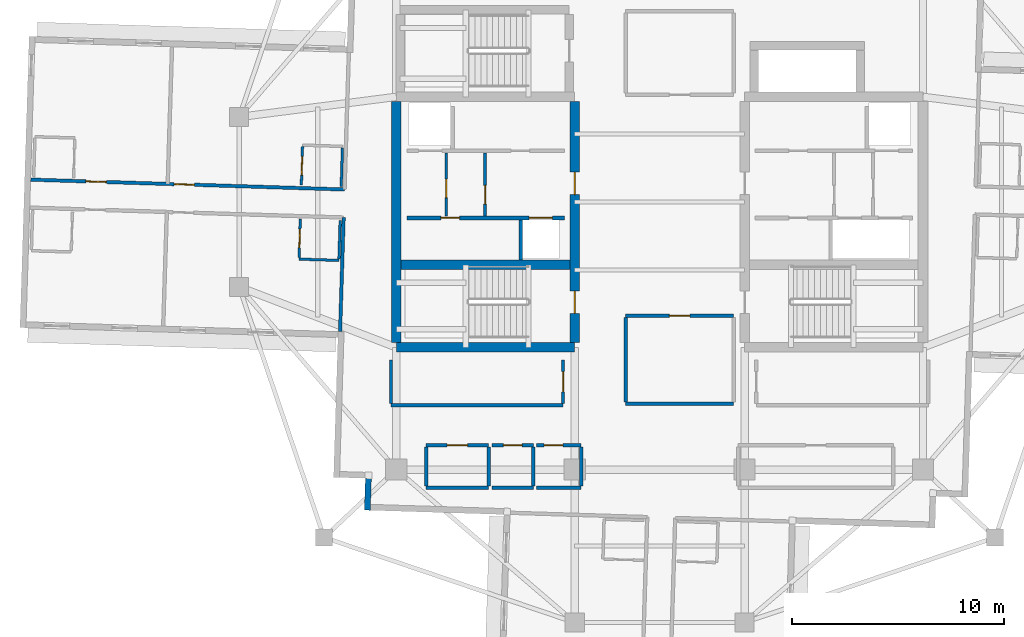
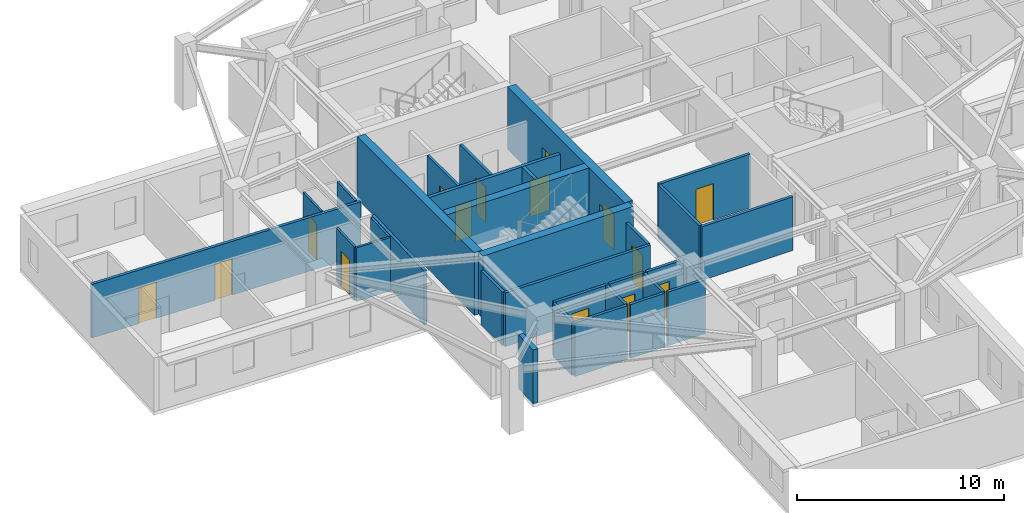
# One storey, part 4 of 12: 32 walls, 15 doors, 15 openings.
"""IFC4 building model written with IfcOpenShell, lengths in metres."""

from ifc_helpers import new_model, si_unit, direction, frame, frame_2d, origin, place, context, subcontext, project, spatial, rectangle, extrude, material, layer, layer_set, type_object, element, fill, save


model = new_model("IFC4")

# Units and contexts
model_context = context("Model", 3, precision=1e-05, world=origin(), true_north=direction((0.0, 1.0)))
body_context = subcontext(model_context, "Body", "Model", "MODEL_VIEW")
ifc_project = project(units=[si_unit("LENGTHUNIT", "METRE"), si_unit("AREAUNIT", "SQUARE_METRE"), si_unit("VOLUMEUNIT", "CUBIC_METRE"), si_unit("PLANEANGLEUNIT", "RADIAN"), si_unit("MASSUNIT", "GRAM", prefix="KILO")], contexts=[model_context])

# Site, building, storey
site_placement = place(None, origin())
site = spatial("IfcSite", under=ifc_project, at=site_placement, CompositionType="ELEMENT")
building_placement = place(site_placement, origin())
building = spatial("IfcBuilding", under=site, at=building_placement, Name="Qingluan Cross Belvedere", CompositionType="ELEMENT")
storey_placement = place(building_placement, frame((0.0, 0.0, 232.5)))
storey = spatial("IfcBuildingStorey", under=building, at=storey_placement, Name="L58", CompositionType="ELEMENT", Elevation=232.5)

# Walls
ifc_material_1 = material(Name="Concrete C50", Category="concrete")
ifc_layer_1 = layer(ifc_material_1, 0.449951171875, Name="CoreShearWall_450")
ifc_layer_set_1 = layer_set([ifc_layer_1], Name="Concrete C50")
wall_type_1 = type_object("IfcWallType", Name="CoreShearWall_450", PredefinedType="SHEAR", material=ifc_layer_set_1)
wall_1_placement = place(storey_placement, frame((-12.39990234375, -6.85009765625, 0.0), z_axis=(0.0, 0.0, 1.0), x_axis=(1.0, 0.0, 0.0)))
element("IfcWall", 1, at=wall_1_placement, inside=storey, type_object=wall_type_1, Name="Split core W shear wall L58-S", PredefinedType="SHEAR", context=body_context, shape_type="SweptSolid", body=[
    extrude(rectangle(XDim=8.39990234375, YDim=0.449951171875, at=frame_2d((4.199951171875, 0.0))), origin(), (0.0, 0.0, 1.0), 3.699951171875),
])
wall_2_placement = place(storey_placement, frame((-12.39990234375, -6.6201171875, 0.0), z_axis=(0.0, 0.0, 1.0), x_axis=(0.0, 1.0, 0.0)))
element("IfcWall", 2, at=wall_2_placement, inside=storey, type_object=wall_type_1, Name="Split core W shear wall L58-W", PredefinedType="SHEAR", context=body_context, shape_type="SweptSolid", body=[
    extrude(rectangle(XDim=11.340087890625, YDim=0.449951171875, at=frame_2d((5.669921875, 0.0))), origin(), (0.0, 0.0, 1.0), 3.699951171875),
])

# Wall, openings, doors
wall_3_placement = place(storey_placement, frame((-4.0, -6.6201171875, 0.0), z_axis=(0.0, 0.0, 1.0), x_axis=(0.0, 1.0, 0.0)))
wall_3 = element("IfcWall", 3, at=wall_3_placement, inside=storey, type_object=wall_type_1, Name="Split core W shear wall L58-E", PredefinedType="SHEAR", context=body_context, shape_type="SweptSolid", body=[
    extrude(rectangle(XDim=11.340087890625, YDim=0.449951171875, at=frame_2d((5.669921875, 0.0))), origin(), (0.0, 0.0, 1.0), 3.699951171875),
])
opening_1_placement = place(wall_3_placement, frame((1.3701171875, 0.0, 0.0)))
opening_1 = element("IfcOpeningElement", 4, at=opening_1_placement, cuts=wall_3, Name="Opening FD-B11", PredefinedType="OPENING", context=body_context, shape_type="SweptSolid", body=[
    extrude(rectangle(XDim=1.050048828125, YDim=2.14990234375, at=frame_2d((0.52490234375, 1.074951171875))), frame((0.0, 0.23486328125, 0.0), z_axis=(0.0, -1.0, 0.0), x_axis=(1.0, 0.0, 0.0)), (0.0, 0.0, 1.0), 0.469970703125),
])
opening_2_placement = place(wall_3_placement, frame((6.969970703125, 0.0, 0.0)))
opening_2 = element("IfcOpeningElement", 5, at=opening_2_placement, cuts=wall_3, Name="Opening FD-B11", PredefinedType="OPENING", context=body_context, shape_type="SweptSolid", body=[
    extrude(rectangle(XDim=1.050048828125, YDim=2.14990234375, at=frame_2d((0.52490234375, 1.074951171875))), frame((0.0, 0.23486328125, 0.0), z_axis=(0.0, -1.0, 0.0), x_axis=(1.0, 0.0, 0.0)), (0.0, 0.0, 1.0), 0.469970703125),
])
ifc_material_2 = material(Name="Steel Class B smoke-seal fire door", Category="steel")
door_type_1 = type_object("IfcDoorType", Name="StairLobbyFireDoor_FDB", OperationType="NOTDEFINED", PredefinedType="DOOR", material=ifc_material_2)
door_1_placement = place(opening_1_placement, origin())
door_1 = element("IfcDoor", 6, at=door_1_placement, inside=storey, type_object=door_type_1, Name="Smoke-proof stair ST1 fire door L58", OperationType="SINGLE_SWING_RIGHT", OverallHeight=2.14990234375, OverallWidth=1.050048828125, PredefinedType="DOOR", context=body_context, shape_type="SweptSolid", body=[
    extrude(rectangle(XDim=1.050048828125, YDim=2.14990234375, at=frame_2d((0.52490234375, 1.074951171875))), frame((0.0, 0.02490234375, 0.0), z_axis=(0.0, -1.0, 0.0), x_axis=(1.0, 0.0, 0.0)), (0.0, 0.0, 1.0), 0.050048828125),
])
fill(opening_1, door_1)
door_2_placement = place(opening_2_placement, origin())
door_2 = element("IfcDoor", 7, at=door_2_placement, inside=storey, type_object=door_type_1, Name="Firefighting lobby West fire door L58", OperationType="SINGLE_SWING_RIGHT", OverallHeight=2.14990234375, OverallWidth=1.050048828125, PredefinedType="DOOR", context=body_context, shape_type="SweptSolid", body=[
    extrude(rectangle(XDim=1.050048828125, YDim=2.14990234375, at=frame_2d((0.52490234375, 1.074951171875))), frame((0.0, 0.02490234375, 0.0), z_axis=(0.0, -1.0, 0.0), x_axis=(1.0, 0.0, 0.0)), (0.0, 0.0, 1.0), 0.050048828125),
])
fill(opening_2, door_2)

# Wall
wall_4_placement = place(storey_placement, frame((-12.169921875, -2.9599609375, 0.0), z_axis=(0.0, 0.0, 1.0), x_axis=(1.0, 0.0, 0.0)))
element("IfcWall", 8, at=wall_4_placement, inside=storey, type_object=wall_type_1, Name="Split core W shear wall L58-M", PredefinedType="SHEAR", context=body_context, shape_type="SweptSolid", body=[
    extrude(rectangle(XDim=7.93994140625, YDim=0.449951171875, at=frame_2d((3.969970703125, 0.0))), origin(), (0.0, 0.0, 1.0), 3.699951171875),
])

# Wall, opening, door
ifc_material_3 = material(Name="Gypsum plasterboard on steel stud acoustic partition", Category="steel")
ifc_layer_2 = layer(ifc_material_3, 0.159912109375, Name="CorridorPartition_160")
ifc_layer_set_2 = layer_set([ifc_layer_2], Name="Gypsum plasterboard on steel stud acoustic partition")
wall_type_2 = type_object("IfcWallType", Name="CorridorPartition_160", PredefinedType="PARTITIONING", material=ifc_layer_set_2)
wall_5_placement = place(storey_placement, frame((-10.050048828125, -0.652099609375, 0.0), z_axis=(0.0, 0.0, 1.0), x_axis=(0.0, 1.0, 0.0)))
wall_5 = element("IfcWall", 9, at=wall_5_placement, inside=storey, type_object=wall_type_2, Name="Partition L58:wv", PredefinedType="PARTITIONING", context=body_context, shape_type="SweptSolid", body=[
    extrude(rectangle(XDim=2.962158203125, YDim=0.139892578125, at=frame_2d((1.48095703125, 0.0))), origin(), (0.0, 0.0, 1.0), 3.169921875),
])
opening_3_placement = place(wall_5_placement, frame((0.85009765625, 0.0, 0.0)))
opening_3 = element("IfcOpeningElement", 10, at=opening_3_placement, cuts=wall_5, Name="Opening FD-B10", PredefinedType="OPENING", context=body_context, shape_type="SweptSolid", body=[
    extrude(rectangle(XDim=0.8798828125, YDim=2.10009765625, at=frame_2d((0.43994140625, 1.050048828125))), frame((0.0, 0.079833984375, 0.0), z_axis=(0.0, -1.0, 0.0), x_axis=(1.0, 0.0, 0.0)), (0.0, 0.0, 1.0), 0.159912109375),
])
ifc_material_4 = material(Name="Steel Class B service fire door", Category="steel")
door_type_2 = type_object("IfcDoorType", Name="RiserServiceFireDoor_FDB", OperationType="NOTDEFINED", PredefinedType="DOOR", material=ifc_material_4)
door_3_placement = place(opening_3_placement, origin())
door_3 = element("IfcDoor", 11, at=door_3_placement, inside=storey, type_object=door_type_2, Name="Service closet inner door L58", OperationType="SINGLE_SWING_LEFT", OverallHeight=2.10009765625, OverallWidth=0.8798828125, PredefinedType="DOOR", context=body_context, shape_type="SweptSolid", body=[
    extrude(rectangle(XDim=0.8798828125, YDim=2.10009765625, at=frame_2d((0.43994140625, 1.050048828125))), frame((0.0, 0.02490234375, 0.0), z_axis=(0.0, -1.0, 0.0), x_axis=(1.0, 0.0, 0.0)), (0.0, 0.0, 1.0), 0.050048828125),
])
fill(opening_3, door_3)

# Wall
wall_6_placement = place(storey_placement, frame((-11.0, -13.449951171875, 0.0), z_axis=(0.0, 0.0, 1.0), x_axis=(1.0, 0.0, 0.0)))
element("IfcWall", 12, at=wall_6_placement, inside=storey, type_object=wall_type_2, Name="Partition L58:q_sw_occ:S", PredefinedType="PARTITIONING", context=body_context, shape_type="SweptSolid", body=[
    extrude(rectangle(XDim=2.949951171875, YDim=0.159912109375, at=frame_2d((1.47509765625, 0.0))), origin(), (0.0, 0.0, 1.0), 3.169921875),
])

# Wall, opening, door
wall_7_placement = place(storey_placement, frame((-11.0, -11.449951171875, 0.0), z_axis=(0.0, 0.0, 1.0), x_axis=(1.0, 0.0, 0.0)))
wall_7 = element("IfcWall", 13, at=wall_7_placement, inside=storey, type_object=wall_type_2, Name="Partition L58:q_sw_occ:N", PredefinedType="PARTITIONING", context=body_context, shape_type="SweptSolid", body=[
    extrude(rectangle(XDim=2.949951171875, YDim=0.159912109375, at=frame_2d((1.47509765625, 0.0))), origin(), (0.0, 0.0, 1.0), 3.169921875),
])
opening_4_placement = place(wall_7_placement, frame((0.9951171875, 0.0, 0.0)))
opening_4 = element("IfcOpeningElement", 14, at=opening_4_placement, cuts=wall_7, Name="Opening GD-10", PredefinedType="OPENING", context=body_context, shape_type="SweptSolid", body=[
    extrude(rectangle(XDim=0.9599609375, YDim=2.14990234375, at=frame_2d((0.47998046875, 1.074951171875))), frame((0.0, 0.08984375, 0.0), z_axis=(0.0, -1.0, 0.0), x_axis=(1.0, 0.0, 0.0)), (0.0, 0.0, 1.0), 0.179931640625),
])
ifc_material_5 = material(Name="Timber oak fire-rated acoustic guestroom door", Category="wood")
door_type_3 = type_object("IfcDoorType", Name="GuestEntryDoor_FD60", OperationType="NOTDEFINED", PredefinedType="DOOR", material=ifc_material_5)
door_4_placement = place(opening_4_placement, origin())
door_4 = element("IfcDoor", 15, at=door_4_placement, inside=storey, type_object=door_type_3, Name="Rare book study L58 door", OperationType="SINGLE_SWING_LEFT", OverallHeight=2.14990234375, OverallWidth=0.9599609375, PredefinedType="DOOR", context=body_context, shape_type="SweptSolid", body=[
    extrude(rectangle(XDim=0.9599609375, YDim=2.14990234375, at=frame_2d((0.47998046875, 1.074951171875))), frame((0.0, 0.02490234375, 0.0), z_axis=(0.0, -1.0, 0.0), x_axis=(1.0, 0.0, 0.0)), (0.0, 0.0, 1.0), 0.050048828125),
])
fill(opening_4, door_4)

# Walls
for number, where, z_axis, x_axis, name in (
    (16, (-11.0, -13.364990234375, 0.0), (0.0, 0.0, 1.0), (0.0, 1.0, 0.0), "Partition L58:q_sw_occ:W"),
    (17, (-8.050048828125, -13.364990234375, 0.0), (0.0, 0.0, 1.0), (0.0, 1.0, 0.0), "Partition L58:q_sw_occ:E"),
):
    element("IfcWall", number, at=place(storey_placement, frame(where, z_axis=z_axis, x_axis=x_axis)), inside=storey, type_object=wall_type_2, Name=name, PredefinedType="PARTITIONING", context=body_context, shape_type="SweptSolid", body=[
        extrude(rectangle(XDim=1.830078125, YDim=0.159912109375, at=frame_2d((0.9150390625, 0.0))), origin(), (0.0, 0.0, 1.0), 3.169921875),
    ])
wall_8_placement = place(storey_placement, frame((-7.889892578125, -13.449951171875, 0.0), z_axis=(0.0, 0.0, 1.0), x_axis=(1.0, 0.0, 0.0)))
element("IfcWall", 18, at=wall_8_placement, inside=storey, type_object=wall_type_2, Name="Partition L58:hk_linen:S", PredefinedType="PARTITIONING", context=body_context, shape_type="SweptSolid", body=[
    extrude(rectangle(XDim=1.93994140625, YDim=0.159912109375, at=frame_2d((0.969970703125, 0.0))), origin(), (0.0, 0.0, 1.0), 3.169921875),
])

# Wall, opening, door
wall_9_placement = place(storey_placement, frame((-7.889892578125, -11.449951171875, 0.0), z_axis=(0.0, 0.0, 1.0), x_axis=(1.0, 0.0, 0.0)))
wall_9 = element("IfcWall", 19, at=wall_9_placement, inside=storey, type_object=wall_type_2, Name="Partition L58:hk_linen:N", PredefinedType="PARTITIONING", context=body_context, shape_type="SweptSolid", body=[
    extrude(rectangle(XDim=1.93994140625, YDim=0.159912109375, at=frame_2d((0.969970703125, 0.0))), origin(), (0.0, 0.0, 1.0), 3.169921875),
])
opening_5_placement = place(wall_9_placement, frame((0.530029296875, 0.0, 0.0)))
opening_5 = element("IfcOpeningElement", 20, at=opening_5_placement, cuts=wall_9, Name="Opening FD-B10", PredefinedType="OPENING", context=body_context, shape_type="SweptSolid", body=[
    extrude(rectangle(XDim=0.8798828125, YDim=2.10009765625, at=frame_2d((0.43994140625, 1.050048828125))), frame((0.0, 0.08984375, 0.0), z_axis=(0.0, -1.0, 0.0), x_axis=(1.0, 0.0, 0.0)), (0.0, 0.0, 1.0), 0.179931640625),
])
door_5_placement = place(opening_5_placement, origin())
door_5 = element("IfcDoor", 21, at=door_5_placement, inside=storey, type_object=door_type_2, Name="Housekeeping and linen store L58 door", OperationType="SINGLE_SWING_RIGHT", OverallHeight=2.10009765625, OverallWidth=0.8798828125, PredefinedType="DOOR", context=body_context, shape_type="SweptSolid", body=[
    extrude(rectangle(XDim=0.8798828125, YDim=2.10009765625, at=frame_2d((0.43994140625, 1.050048828125))), frame((0.0, 0.02490234375, 0.0), z_axis=(0.0, -1.0, 0.0), x_axis=(1.0, 0.0, 0.0)), (0.0, 0.0, 1.0), 0.050048828125),
])
fill(opening_5, door_5)

# Walls
wall_10_placement = place(storey_placement, frame((-5.949951171875, -13.364990234375, 0.0), z_axis=(0.0, 0.0, 1.0), x_axis=(0.0, 1.0, 0.0)))
element("IfcWall", 22, at=wall_10_placement, inside=storey, type_object=wall_type_2, Name="Partition L58:hk_linen:E", PredefinedType="PARTITIONING", context=body_context, shape_type="SweptSolid", body=[
    extrude(rectangle(XDim=1.830078125, YDim=0.159912109375, at=frame_2d((0.9150390625, 0.0))), origin(), (0.0, 0.0, 1.0), 3.169921875),
])
wall_11_placement = place(storey_placement, frame((-5.7900390625, -13.449951171875, 0.0), z_axis=(0.0, 0.0, 1.0), x_axis=(1.0, 0.0, 0.0)))
element("IfcWall", 23, at=wall_11_placement, inside=storey, type_object=wall_type_2, Name="Partition L58:floor_acc_wc:S", PredefinedType="PARTITIONING", context=body_context, shape_type="SweptSolid", body=[
    extrude(rectangle(XDim=2.090087890625, YDim=0.159912109375, at=frame_2d((1.044921875, 0.0))), origin(), (0.0, 0.0, 1.0), 3.169921875),
])

# Wall, opening, door
wall_12_placement = place(storey_placement, frame((-5.7900390625, -11.449951171875, 0.0), z_axis=(0.0, 0.0, 1.0), x_axis=(1.0, 0.0, 0.0)))
wall_12 = element("IfcWall", 24, at=wall_12_placement, inside=storey, type_object=wall_type_2, Name="Partition L58:floor_acc_wc:N", PredefinedType="PARTITIONING", context=body_context, shape_type="SweptSolid", body=[
    extrude(rectangle(XDim=2.090087890625, YDim=0.159912109375, at=frame_2d((1.044921875, 0.0))), origin(), (0.0, 0.0, 1.0), 3.169921875),
])
opening_6_placement = place(wall_12_placement, frame((0.35009765625, 0.0, 0.0)))
opening_6 = element("IfcOpeningElement", 25, at=opening_6_placement, cuts=wall_12, Name="Opening BD-08", PredefinedType="OPENING", context=body_context, shape_type="SweptSolid", body=[
    extrude(rectangle(XDim=0.8798828125, YDim=2.14990234375, at=frame_2d((0.43994140625, 1.074951171875))), frame((0.0, 0.08984375, 0.0), z_axis=(0.0, -1.0, 0.0), x_axis=(1.0, 0.0, 0.0)), (0.0, 0.0, 1.0), 0.179931640625),
])
ifc_material_6 = material(Name="Moisture-sealed timber accessible WC door", Category="wood")
door_type_4 = type_object("IfcDoorType", Name="AccessibleWCDoor_880", OperationType="NOTDEFINED", PredefinedType="DOOR", material=ifc_material_6)
door_6_placement = place(opening_6_placement, origin())
door_6 = element("IfcDoor", 26, at=door_6_placement, inside=storey, type_object=door_type_4, Name="Accessible guest washroom L58 door", OperationType="SINGLE_SWING_LEFT", OverallHeight=2.14990234375, OverallWidth=0.8798828125, PredefinedType="DOOR", context=body_context, shape_type="SweptSolid", body=[
    extrude(rectangle(XDim=0.8798828125, YDim=2.14990234375, at=frame_2d((0.43994140625, 1.074951171875))), frame((0.0, 0.02490234375, 0.0), z_axis=(0.0, -1.0, 0.0), x_axis=(1.0, 0.0, 0.0)), (0.0, 0.0, 1.0), 0.050048828125),
])
fill(opening_6, door_6)

# Walls
wall_13_placement = place(storey_placement, frame((-3.699951171875, -13.364990234375, 0.0), z_axis=(0.0, 0.0, 1.0), x_axis=(0.0, 1.0, 0.0)))
element("IfcWall", 27, at=wall_13_placement, inside=storey, type_object=wall_type_2, Name="Partition L58:floor_acc_wc:E", PredefinedType="PARTITIONING", context=body_context, shape_type="SweptSolid", body=[
    extrude(rectangle(XDim=1.830078125, YDim=0.159912109375, at=frame_2d((0.9150390625, 0.0))), origin(), (0.0, 0.0, 1.0), 3.169921875),
])
wall_14_placement = place(storey_placement, frame((-1.60009765625, -9.5, 0.0), z_axis=(0.0, 0.0, 1.0), x_axis=(1.0, 0.0, 0.0)))
element("IfcWall", 28, at=wall_14_placement, inside=storey, type_object=wall_type_2, Name="Partition L58:sky_south_alcove:S", PredefinedType="PARTITIONING", context=body_context, shape_type="SweptSolid", body=[
    extrude(rectangle(XDim=5.080078125, YDim=0.159912109375, at=frame_2d((2.5400390625, 0.0))), origin(), (0.0, 0.0, 1.0), 3.169921875),
])

# Wall, opening, door
wall_15_placement = place(storey_placement, frame((-1.60009765625, -5.35009765625, 0.0), z_axis=(0.0, 0.0, 1.0), x_axis=(1.0, 0.0, 0.0)))
wall_15 = element("IfcWall", 29, at=wall_15_placement, inside=storey, type_object=wall_type_2, Name="Partition L58:sky_south_alcove:N", PredefinedType="PARTITIONING", context=body_context, shape_type="SweptSolid", body=[
    extrude(rectangle(XDim=5.080078125, YDim=0.159912109375, at=frame_2d((2.5400390625, 0.0))), origin(), (0.0, 0.0, 1.0), 3.169921875),
])
opening_7_placement = place(wall_15_placement, frame((2.06005859375, 0.0, 0.0)))
opening_7 = element("IfcOpeningElement", 30, at=opening_7_placement, cuts=wall_15, Name="Opening GD-10", PredefinedType="OPENING", context=body_context, shape_type="SweptSolid", body=[
    extrude(rectangle(XDim=0.9599609375, YDim=2.14990234375, at=frame_2d((0.47998046875, 1.074951171875))), frame((0.0, 0.08984375, 0.0), z_axis=(0.0, -1.0, 0.0), x_axis=(1.0, 0.0, 0.0)), (0.0, 0.0, 1.0), 0.179931640625),
])
door_7_placement = place(opening_7_placement, origin())
door_7 = element("IfcDoor", 31, at=door_7_placement, inside=storey, type_object=door_type_3, Name="South horizon reading alcove L58 door", OperationType="SINGLE_SWING_LEFT", OverallHeight=2.14990234375, OverallWidth=0.9599609375, PredefinedType="DOOR", context=body_context, shape_type="SweptSolid", body=[
    extrude(rectangle(XDim=0.9599609375, YDim=2.14990234375, at=frame_2d((0.47998046875, 1.074951171875))), frame((0.0, 0.02490234375, 0.0), z_axis=(0.0, -1.0, 0.0), x_axis=(1.0, 0.0, 0.0)), (0.0, 0.0, 1.0), 0.050048828125),
])
fill(opening_7, door_7)

# Walls
wall_16_placement = place(storey_placement, frame((-1.60009765625, -9.4150390625, 0.0), z_axis=(0.0, 0.0, 1.0), x_axis=(0.0, 1.0, 0.0)))
element("IfcWall", 32, at=wall_16_placement, inside=storey, type_object=wall_type_2, Name="Partition L58:sky_south_alcove:W", PredefinedType="PARTITIONING", context=body_context, shape_type="SweptSolid", body=[
    extrude(rectangle(XDim=3.97998046875, YDim=0.159912109375, at=frame_2d((1.989990234375, 0.0))), origin(), (0.0, 0.0, 1.0), 3.169921875),
])
wall_17_placement = place(storey_placement, frame((-12.64990234375, -9.580078125, 0.0), z_axis=(0.0, 0.0, 1.0), x_axis=(1.0, 0.0, 0.0)))
element("IfcWall", 33, at=wall_17_placement, inside=storey, type_object=wall_type_2, Name="Partition L58:rec_st4_w:S", PredefinedType="PARTITIONING", context=body_context, shape_type="SweptSolid", body=[
    extrude(rectangle(XDim=8.099853515625, YDim=0.159912109375, at=frame_2d((4.0498046875, 0.0))), origin(), (0.0, 0.0, 1.0), 3.169921875),
])
wall_18_placement = place(storey_placement, frame((-12.64990234375, -9.4951171875, 0.0), z_axis=(0.0, 0.0, 1.0), x_axis=(0.0, 1.0, 0.0)))
element("IfcWall", 34, at=wall_18_placement, inside=storey, type_object=wall_type_2, Name="Partition L58:rec_st4_w:W", PredefinedType="PARTITIONING", context=body_context, shape_type="SweptSolid", body=[
    extrude(rectangle(XDim=2.06005859375, YDim=0.159912109375, at=frame_2d((1.030029296875, 0.0))), origin(), (0.0, 0.0, 1.0), 3.169921875),
])

# Wall, opening, door
wall_19_placement = place(storey_placement, frame((-4.550048828125, -9.4951171875, 0.0), z_axis=(0.0, 0.0, 1.0), x_axis=(0.0, 1.0, 0.0)))
wall_19 = element("IfcWall", 35, at=wall_19_placement, inside=storey, type_object=wall_type_2, Name="Partition L58:rec_st4_w:E", PredefinedType="PARTITIONING", context=body_context, shape_type="SweptSolid", body=[
    extrude(rectangle(XDim=2.06005859375, YDim=0.159912109375, at=frame_2d((1.030029296875, 0.0))), origin(), (0.0, 0.0, 1.0), 3.169921875),
])
opening_8_placement = place(wall_19_placement, frame((0.550048828125, 0.0, 0.0)))
opening_8 = element("IfcOpeningElement", 36, at=opening_8_placement, cuts=wall_19, Name="Opening GD-10", PredefinedType="OPENING", context=body_context, shape_type="SweptSolid", body=[
    extrude(rectangle(XDim=0.9599609375, YDim=2.14990234375, at=frame_2d((0.47998046875, 1.074951171875))), frame((0.0, 0.08984375, 0.0), z_axis=(0.0, -1.0, 0.0), x_axis=(1.0, 0.0, 0.0)), (0.0, 0.0, 1.0), 0.179931640625),
])
door_8_placement = place(opening_8_placement, origin())
door_8 = element("IfcDoor", 37, at=door_8_placement, inside=storey, type_object=door_type_3, Name="Southwest club reading room L58 door", OperationType="SINGLE_SWING_LEFT", OverallHeight=2.14990234375, OverallWidth=0.9599609375, PredefinedType="DOOR", context=body_context, shape_type="SweptSolid", body=[
    extrude(rectangle(XDim=0.9599609375, YDim=2.14990234375, at=frame_2d((0.47998046875, 1.074951171875))), frame((0.0, 0.02490234375, 0.0), z_axis=(0.0, -1.0, 0.0), x_axis=(1.0, 0.0, 0.0)), (0.0, 0.0, 1.0), 0.050048828125),
])
fill(opening_8, door_8)

# Wall, openings, doors
wall_20_placement = place(storey_placement, frame((-14.8388671875, 0.58642578125, 0.0), z_axis=(0.0, 0.0, 1.0), x_axis=(-0.999506468759, 0.031413673903, 0.0)))
wall_20 = element("IfcWall", 38, at=wall_20_placement, inside=storey, type_object=wall_type_2, Name="Partition L58:W:c0", PredefinedType="PARTITIONING", context=body_context, shape_type="SweptSolid", body=[
    extrude(rectangle(XDim=14.781982421875, YDim=0.159912109375, at=frame_2d((7.39111328125, 0.0))), origin(), (0.0, 0.0, 1.0), 3.169921875),
])
opening_9_placement = place(wall_20_placement, frame((7.071044921875, 0.0, 0.0)))
opening_9 = element("IfcOpeningElement", 39, at=opening_9_placement, cuts=wall_20, Name="Opening GD-10", PredefinedType="OPENING", context=body_context, shape_type="SweptSolid", body=[
    extrude(rectangle(XDim=0.9599609375, YDim=2.14990234375, at=frame_2d((0.47998046875, 1.074951171875))), frame((0.0, 0.08984375, 0.0), z_axis=(0.0, -1.0, 0.0), x_axis=(1.0, 0.0, 0.0)), (0.0, 0.0, 1.0), 0.179931640625),
])
opening_10_placement = place(wall_20_placement, frame((11.221923828125, 0.0, 0.0)))
opening_10 = element("IfcOpeningElement", 40, at=opening_10_placement, cuts=wall_20, Name="Opening GD-10", PredefinedType="OPENING", context=body_context, shape_type="SweptSolid", body=[
    extrude(rectangle(XDim=0.9599609375, YDim=2.14990234375, at=frame_2d((0.47998046875, 1.074951171875))), frame((0.0, 0.08984375, 0.0), z_axis=(0.0, -1.0, 0.0), x_axis=(1.0, 0.0, 0.0)), (0.0, 0.0, 1.0), 0.179931640625),
])
door_9_placement = place(opening_9_placement, origin())
door_9 = element("IfcDoor", 41, at=door_9_placement, inside=storey, type_object=door_type_3, Name="Guest entry fire door 5805", OperationType="SINGLE_SWING_RIGHT", OverallHeight=2.14990234375, OverallWidth=0.9599609375, PredefinedType="DOOR", context=body_context, shape_type="SweptSolid", body=[
    extrude(rectangle(XDim=0.9599609375, YDim=2.14990234375, at=frame_2d((0.47998046875, 1.074951171875))), frame((0.0, 0.02490234375, 0.0), z_axis=(0.0, -1.0, 0.0), x_axis=(1.0, 0.0, 0.0)), (0.0, 0.0, 1.0), 0.050048828125),
])
fill(opening_9, door_9)
door_10_placement = place(opening_10_placement, origin())
door_10 = element("IfcDoor", 42, at=door_10_placement, inside=storey, type_object=door_type_3, Name="Guest entry fire door 5806", OperationType="SINGLE_SWING_RIGHT", OverallHeight=2.14990234375, OverallWidth=0.9599609375, PredefinedType="DOOR", context=body_context, shape_type="SweptSolid", body=[
    extrude(rectangle(XDim=0.9599609375, YDim=2.14990234375, at=frame_2d((0.47998046875, 1.074951171875))), frame((0.0, 0.02490234375, 0.0), z_axis=(0.0, -1.0, 0.0), x_axis=(1.0, 0.0, 0.0)), (0.0, 0.0, 1.0), 0.050048828125),
])
fill(opening_10, door_10)

# Wall
wall_21_placement = place(storey_placement, frame((-14.88037109375, -0.73291015625, 0.0), z_axis=(0.0, 0.0, 1.0), x_axis=(-0.031448993216, -0.999505358078, 0.0)))
element("IfcWall", 43, at=wall_21_placement, inside=storey, type_object=wall_type_2, Name="Partition L58:W:s1", PredefinedType="PARTITIONING", context=body_context, shape_type="SweptSolid", body=[
    extrude(rectangle(XDim=5.3720703125, YDim=0.159912109375, at=frame_2d((2.68603515625, 0.0))), origin(), (0.0, 0.0, 1.0), 3.169921875),
])

# Wall, opening, door
ifc_material_7 = material(Name="Moisture-resistant gypsum board lining")
ifc_layer_3 = layer(ifc_material_7, 0.1201171875, Name="EnsuiteWetPartition_120")
ifc_layer_set_3 = layer_set([ifc_layer_3], Name="Moisture-resistant gypsum board lining")
wall_type_3 = type_object("IfcWallType", Name="EnsuiteWetPartition_120", PredefinedType="PARTITIONING", material=ifc_layer_set_3)
wall_22_placement = place(storey_placement, frame((-16.87353515625, 0.790283203125, 0.0), z_axis=(0.0, 0.0, 1.0), x_axis=(0.031385496622, 0.999507353951, 0.0)))
wall_22 = element("IfcWall", 44, at=wall_22_placement, inside=storey, type_object=wall_type_3, Name="Partition L58:W:bs0_0", PredefinedType="PARTITIONING", context=body_context, shape_type="SweptSolid", body=[
    extrude(rectangle(XDim=1.8203125, YDim=0.1201171875, at=frame_2d((0.91015625, 0.0))), origin(), (0.0, 0.0, 1.0), 3.169921875),
])
opening_11_placement = place(wall_22_placement, frame((0.469970703125, 0.0, 0.0)))
opening_11 = element("IfcOpeningElement", 45, at=opening_11_placement, cuts=wall_22, Name="Opening BD-09", PredefinedType="OPENING", context=body_context, shape_type="SweptSolid", body=[
    extrude(rectangle(XDim=0.8798828125, YDim=2.10009765625, at=frame_2d((0.43994140625, 1.050048828125))), frame((0.0, 0.070068359375, 0.0), z_axis=(0.0, -1.0, 0.0), x_axis=(1.0, 0.0, 0.0)), (0.0, 0.0, 1.0), 0.14013671875),
])
ifc_material_8 = material(Name="Moisture-sealed timber en-suite door", Category="wood")
door_type_5 = type_object("IfcDoorType", Name="BathroomDoor_880", OperationType="NOTDEFINED", PredefinedType="DOOR", material=ifc_material_8)
door_11_placement = place(opening_11_placement, origin())
door_11 = element("IfcDoor", 46, at=door_11_placement, inside=storey, type_object=door_type_5, Name="Bathroom door 5805", OperationType="SINGLE_SWING_LEFT", OverallHeight=2.10009765625, OverallWidth=0.8798828125, PredefinedType="DOOR", context=body_context, shape_type="SweptSolid", body=[
    extrude(rectangle(XDim=0.8798828125, YDim=2.10009765625, at=frame_2d((0.43994140625, 1.050048828125))), frame((0.0, 0.02490234375, 0.0), z_axis=(0.0, -1.0, 0.0), x_axis=(1.0, 0.0, 0.0)), (0.0, 0.0, 1.0), 0.050048828125),
])
fill(opening_11, door_11)

# Wall
wall_23_placement = place(storey_placement, frame((-14.994384765625, 0.731201171875, 0.0), z_axis=(0.0, 0.0, 1.0), x_axis=(0.031389704724, 0.999507221803, 0.0)))
element("IfcWall", 47, at=wall_23_placement, inside=storey, type_object=wall_type_3, Name="Partition L58:W:bw0_0", PredefinedType="PARTITIONING", context=body_context, shape_type="SweptSolid", body=[
    extrude(rectangle(XDim=1.820068359375, YDim=0.1201171875, at=frame_2d((0.91015625, 0.0))), origin(), (0.0, 0.0, 1.0), 3.169921875),
])

# Wall, opening, door
wall_24_placement = place(storey_placement, frame((-16.98095703125, -2.6279296875, 0.0), z_axis=(0.0, 0.0, 1.0), x_axis=(0.031389704724, 0.999507221803, 0.0)))
wall_24 = element("IfcWall", 48, at=wall_24_placement, inside=storey, type_object=wall_type_3, Name="Partition L58:W:bs1_0", PredefinedType="PARTITIONING", context=body_context, shape_type="SweptSolid", body=[
    extrude(rectangle(XDim=1.820068359375, YDim=0.1201171875, at=frame_2d((0.91015625, 0.0))), origin(), (0.0, 0.0, 1.0), 3.169921875),
])
opening_12_placement = place(wall_24_placement, frame((0.469970703125, 0.0, 0.0)))
opening_12 = element("IfcOpeningElement", 49, at=opening_12_placement, cuts=wall_24, Name="Opening BD-09", PredefinedType="OPENING", context=body_context, shape_type="SweptSolid", body=[
    extrude(rectangle(XDim=0.8798828125, YDim=2.10009765625, at=frame_2d((0.43994140625, 1.050048828125))), frame((0.0, 0.070068359375, 0.0), z_axis=(0.0, -1.0, 0.0), x_axis=(1.0, 0.0, 0.0)), (0.0, 0.0, 1.0), 0.14013671875),
])
door_12_placement = place(opening_12_placement, origin())
door_12 = element("IfcDoor", 50, at=door_12_placement, inside=storey, type_object=door_type_5, Name="Bathroom door 5807", OperationType="SINGLE_SWING_LEFT", OverallHeight=2.10009765625, OverallWidth=0.8798828125, PredefinedType="DOOR", context=body_context, shape_type="SweptSolid", body=[
    extrude(rectangle(XDim=0.8798828125, YDim=2.10009765625, at=frame_2d((0.43994140625, 1.050048828125))), frame((0.0, 0.02490234375, 0.0), z_axis=(0.0, -1.0, 0.0), x_axis=(1.0, 0.0, 0.0)), (0.0, 0.0, 1.0), 0.050048828125),
])
fill(opening_12, door_12)

# Walls
wall_25_placement = place(storey_placement, frame((-15.101806640625, -2.68701171875, 0.0), z_axis=(0.0, 0.0, 1.0), x_axis=(0.031389704724, 0.999507221803, 0.0)))
element("IfcWall", 51, at=wall_25_placement, inside=storey, type_object=wall_type_3, Name="Partition L58:W:bw1_0", PredefinedType="PARTITIONING", context=body_context, shape_type="SweptSolid", body=[
    extrude(rectangle(XDim=1.820068359375, YDim=0.1201171875, at=frame_2d((0.91015625, 0.0))), origin(), (0.0, 0.0, 1.0), 3.169921875),
])
wall_26_placement = place(storey_placement, frame((-15.10400390625, -2.751953125, 0.0), z_axis=(0.0, 0.0, 1.0), x_axis=(-0.999505975261, 0.031429371883, 0.0)))
element("IfcWall", 52, at=wall_26_placement, inside=storey, type_object=wall_type_3, Name="Partition L58:W:bc1_0", PredefinedType="PARTITIONING", context=body_context, shape_type="SweptSolid", body=[
    extrude(rectangle(XDim=1.8798828125, YDim=0.1201171875, at=frame_2d((0.93994140625, 0.0))), origin(), (0.0, 0.0, 1.0), 3.169921875),
])
ifc_material_9 = material(Name="Precast concrete C45", Category="concrete")
ifc_layer_4 = layer(ifc_material_9, 0.280029296875, Name="PrecastFacadeWall_280")
ifc_layer_set_4 = layer_set([ifc_layer_4], Name="Precast concrete C45")
wall_type_4 = type_object("IfcWallType", Name="PrecastFacadeWall_280", PredefinedType="STANDARD", material=ifc_layer_set_4)
wall_27_placement = place(storey_placement, frame((-13.715576171875, -13.015625, 0.0), z_axis=(0.0, 0.0, 1.0), x_axis=(-0.031412596484, -0.999506502621, 0.0)))
element("IfcWall", 53, at=wall_27_placement, inside=storey, type_object=wall_type_4, Name="Corner wall L58-SW3", PredefinedType="STANDARD", context=body_context, shape_type="SweptSolid", body=[
    extrude(rectangle(XDim=1.5, YDim=0.280029296875, at=frame_2d((0.75, 0.0))), origin(), (0.0, 0.0, 1.0), 3.179931640625),
])

# Wall, openings, doors
ifc_material_10 = material(Name="Concrete C40", Category="concrete")
ifc_layer_5 = layer(ifc_material_10, 0.219970703125, Name="ShaftEnclosureWall_250")
ifc_layer_set_5 = layer_set([ifc_layer_5], Name="Concrete C40")
wall_type_5 = type_object("IfcWallType", Name="ShaftEnclosureWall_250", PredefinedType="SOLIDWALL", material=ifc_layer_set_5)
wall_28_placement = place(storey_placement, frame((-11.89990234375, -0.75, 0.0), z_axis=(0.0, 0.0, 1.0), x_axis=(1.0, 0.0, 0.0)))
wall_28 = element("IfcWall", 54, at=wall_28_placement, inside=storey, type_object=wall_type_5, Name="Core-W mid hoistway wall L58", PredefinedType="SOLIDWALL", context=body_context, shape_type="SweptSolid", body=[
    extrude(rectangle(XDim=7.419921875, YDim=0.179931640625, at=frame_2d((3.7099609375, 0.0))), origin(), (0.0, 0.0, 1.0), 3.169921875),
])
opening_13_placement = place(wall_28_placement, frame((5.75, 0.0, 0.0)))
opening_13 = element("IfcOpeningElement", 55, at=opening_13_placement, cuts=wall_28, Name="Opening LD-11", PredefinedType="OPENING", context=body_context, shape_type="SweptSolid", body=[
    extrude(rectangle(XDim=1.10009765625, YDim=2.14990234375, at=frame_2d((0.550048828125, 1.074951171875))), frame((0.0, 0.099853515625, 0.0), z_axis=(0.0, -1.0, 0.0), x_axis=(1.0, 0.0, 0.0)), (0.0, 0.0, 1.0), 0.199951171875),
])
opening_14_placement = place(wall_28_placement, frame((1.60009765625, 0.0, 0.0)))
opening_14 = element("IfcOpeningElement", 56, at=opening_14_placement, cuts=wall_28, Name="Opening FD-B10", PredefinedType="OPENING", context=body_context, shape_type="SweptSolid", body=[
    extrude(rectangle(XDim=0.8798828125, YDim=2.10009765625, at=frame_2d((0.43994140625, 1.050048828125))), frame((0.0, 0.099853515625, 0.0), z_axis=(0.0, -1.0, 0.0), x_axis=(1.0, 0.0, 0.0)), (0.0, 0.0, 1.0), 0.199951171875),
])
ifc_material_11 = material(Name="Brushed stainless steel centre-opening lift landing door", Category="steel")
door_type_6 = type_object("IfcDoorType", Name="LiftLandingSlidingDoor_1100", OperationType="DOUBLE_DOOR_SLIDING", PredefinedType="DOOR", material=ifc_material_11)
door_13_placement = place(opening_13_placement, origin())
door_13 = element("IfcDoor", 57, at=door_13_placement, inside=storey, type_object=door_type_6, Name="Lift landing sliding door LP8 L58", OperationType="DOUBLE_DOOR_SLIDING", OverallHeight=2.14990234375, OverallWidth=1.10009765625, PredefinedType="DOOR", context=body_context, shape_type="SweptSolid", body=[
    extrude(rectangle(XDim=1.10009765625, YDim=2.14990234375, at=frame_2d((0.550048828125, 1.074951171875))), frame((0.0, 0.02490234375, 0.0), z_axis=(0.0, -1.0, 0.0), x_axis=(1.0, 0.0, 0.0)), (0.0, 0.0, 1.0), 0.050048828125),
])
fill(opening_13, door_13)
door_14_placement = place(opening_14_placement, origin())
door_14 = element("IfcDoor", 58, at=door_14_placement, inside=storey, type_object=door_type_2, Name="Upper-zone electrical room door L58", OperationType="SINGLE_SWING_LEFT", OverallHeight=2.10009765625, OverallWidth=0.8798828125, PredefinedType="DOOR", context=body_context, shape_type="SweptSolid", body=[
    extrude(rectangle(XDim=0.8798828125, YDim=2.10009765625, at=frame_2d((0.43994140625, 1.050048828125))), frame((0.0, 0.02490234375, 0.0), z_axis=(0.0, -1.0, 0.0), x_axis=(1.0, 0.0, 0.0)), (0.0, 0.0, 1.0), 0.050048828125),
])
fill(opening_14, door_14)

# Wall
wall_29_placement = place(storey_placement, frame((-6.5400390625, -2.72998046875, 0.0), z_axis=(0.0, 0.0, 1.0), x_axis=(0.0, 1.0, 0.0)))
element("IfcWall", 59, at=wall_29_placement, inside=storey, type_object=wall_type_5, Name="Hoistway enclosure divider LP8W L58", PredefinedType="SOLIDWALL", context=body_context, shape_type="SweptSolid", body=[
    extrude(rectangle(XDim=1.889892578125, YDim=0.179931640625, at=frame_2d((0.94482421875, 0.0))), origin(), (0.0, 0.0, 1.0), 3.169921875),
])

# Wall, opening, door
wall_30_placement = place(storey_placement, frame((-8.219970703125, -0.64990234375, 0.0), z_axis=(0.0, 0.0, 1.0), x_axis=(0.0, 1.0, 0.0)))
wall_30 = element("IfcWall", 60, at=wall_30_placement, inside=storey, type_object=wall_type_5, Name="Core-W service corridor wall L58", PredefinedType="SOLIDWALL", context=body_context, shape_type="SweptSolid", body=[
    extrude(rectangle(XDim=2.9599609375, YDim=0.139892578125, at=frame_2d((1.47998046875, 0.0))), origin(), (0.0, 0.0, 1.0), 3.169921875),
])
opening_15_placement = place(wall_30_placement, frame((0.550048828125, 0.0, 0.0)))
opening_15 = element("IfcOpeningElement", 61, at=opening_15_placement, cuts=wall_30, Name="Opening FD-B10", PredefinedType="OPENING", context=body_context, shape_type="SweptSolid", body=[
    extrude(rectangle(XDim=0.8798828125, YDim=2.10009765625, at=frame_2d((0.43994140625, 1.050048828125))), frame((0.0, 0.079833984375, 0.0), z_axis=(0.0, -1.0, 0.0), x_axis=(1.0, 0.0, 0.0)), (0.0, 0.0, 1.0), 0.159912109375),
])
door_15_placement = place(opening_15_placement, origin())
door_15 = element("IfcDoor", 62, at=door_15_placement, inside=storey, type_object=door_type_2, Name="Core-W service room door L58", OperationType="SINGLE_SWING_LEFT", OverallHeight=2.10009765625, OverallWidth=0.8798828125, PredefinedType="DOOR", context=body_context, shape_type="SweptSolid", body=[
    extrude(rectangle(XDim=0.8798828125, YDim=2.10009765625, at=frame_2d((0.43994140625, 1.050048828125))), frame((0.0, 0.02490234375, 0.0), z_axis=(0.0, -1.0, 0.0), x_axis=(1.0, 0.0, 0.0)), (0.0, 0.0, 1.0), 0.050048828125),
])
fill(opening_15, door_15)

save(model, "model.ifc")
